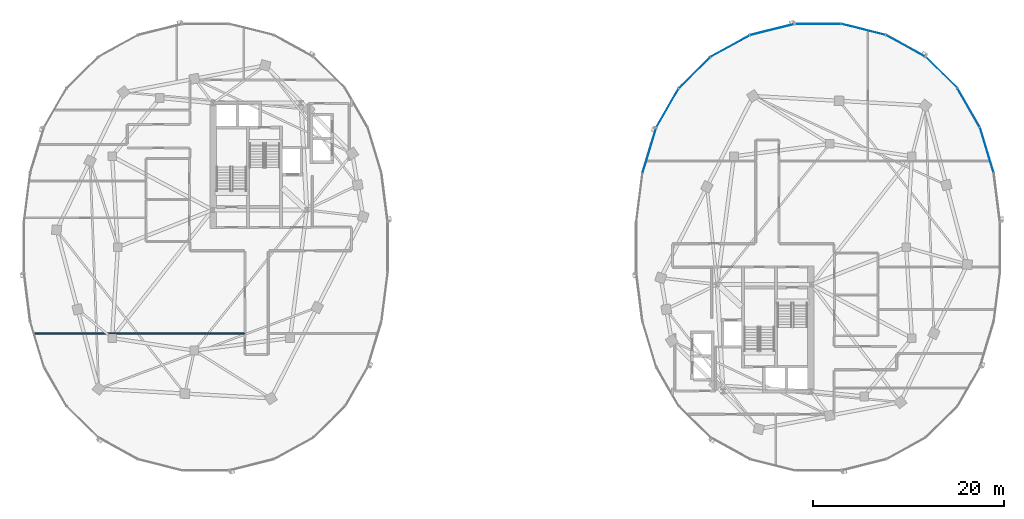
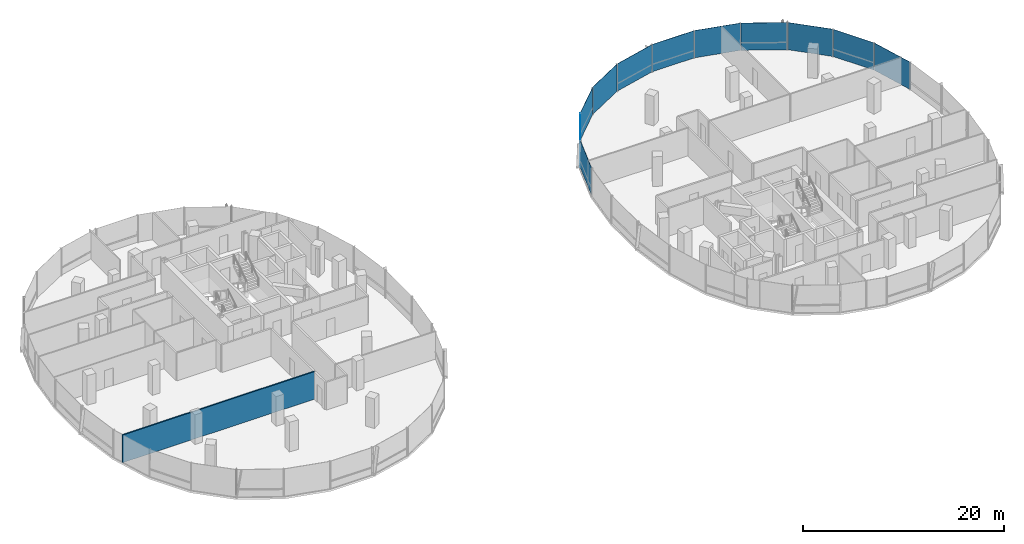
# One storey, part 11 of 22: 11 plates, 1 wall, 2 elements without a shape of their own.
"""IFC4 building model written with IfcOpenShell, lengths in metres."""

from ifc_helpers import new_model, si_unit, direction, frame, frame_2d, origin, origin_2d, place, context, subcontext, project, spatial, rectangle, extrude, material, layer, layer_set, type_object, element, aggregate, save


model = new_model("IFC4")

# Units and contexts
model_context = context("Model", 3, precision=1e-05, world=origin(), true_north=direction((0.0, 1.0)))
body_context = subcontext(model_context, "Body", "Model", "MODEL_VIEW")
ifc_project = project(units=[si_unit("LENGTHUNIT", "METRE"), si_unit("AREAUNIT", "SQUARE_METRE"), si_unit("VOLUMEUNIT", "CUBIC_METRE"), si_unit("PLANEANGLEUNIT", "RADIAN"), si_unit("MASSUNIT", "GRAM", prefix="KILO"), si_unit("THERMODYNAMICTEMPERATUREUNIT", "KELVIN"), si_unit("POWERUNIT", "WATT")], contexts=[model_context])

# Site, building, storey
site_placement = place(None, origin())
site = spatial("IfcSite", under=ifc_project, at=site_placement, CompositionType="ELEMENT")
building_placement = place(site_placement, origin())
building = spatial("IfcBuilding", under=site, at=building_placement, Name="Cundina Bronze Exchange", CompositionType="ELEMENT")
storey_placement = place(building_placement, frame((0.0, 0.0, 147.60009765625)))
storey = spatial("IfcBuildingStorey", under=building, at=storey_placement, Name="L38", CompositionType="ELEMENT", Elevation=147.60009765625)

# Curtain wall, plates
ifc_material_1 = material(Name="Anodised Bronze Aluminium 6063-T6", Category="aluminium")
curtain_wall_type = type_object("IfcCurtainWallType", Name="CWS-WST-PIN", PredefinedType="NOTDEFINED", material=ifc_material_1)
curtain_wall_1_placement = place(storey_placement, origin())
curtain_wall_1 = element("IfcCurtainWall", 1, at=curtain_wall_1_placement, inside=storey, type_object=curtain_wall_type, Name="L38 CW-04 Curtain Wall Run CWR-L38-E1", PredefinedType="NOTDEFINED")
ifc_material_2 = material(Name="Heat-Strengthened Solar-Control Bronze Safety Glass 28mm", Category="glass")
ifc_layer_1 = layer(ifc_material_2, 0.028076171875, Name="Heat-Strengthened Solar-Control Bronze Safety Glass 28mm", Category="glass")
ifc_layer_set_1 = layer_set([ifc_layer_1], Name="Heat-Strengthened Solar-Control Bronze Safety Glass 28mm")
plate_type_1 = type_object("IfcPlateType", Name="PLT-GLZ-VIS28", PredefinedType="CURTAIN_PANEL", material=ifc_layer_set_1)
plate_1_placement = place(storey_placement, frame((47.734375, 14.564697265625, 0.02001953125), z_axis=(0.0, 0.0, 1.0), x_axis=(-0.498487739754, 0.866896748936, 0.0)))
plate_1 = element("IfcPlate", 2, at=plate_1_placement, type_object=plate_type_1, Name="CW-04 Glazed Panel 3", PredefinedType="CURTAIN_PANEL", context=body_context, shape_type="SweptSolid", body=[
    extrude(rectangle(XDim=4.676513671875, YDim=0.028076171875, at=origin_2d()), origin(), (0.0, 0.0, 1.0), 3.320068359375),
])
plate_2_placement = place(storey_placement, frame((44.894775390625, 18.253662109375, 0.02001953125), z_axis=(0.0, 0.0, 1.0), x_axis=(-0.711989280367, 0.702190333629, 0.0)))
plate_2 = element("IfcPlate", 3, at=plate_2_placement, type_object=plate_type_1, Name="CW-04 Glazed Panel 4", PredefinedType="CURTAIN_PANEL", context=body_context, shape_type="SweptSolid", body=[
    extrude(rectangle(XDim=4.6025390625, YDim=0.028076171875, at=origin_2d()), origin(), (0.0, 0.0, 1.0), 3.320068359375),
])
plate_3_placement = place(storey_placement, frame((41.16845703125, 21.02880859375, 0.02001953125), z_axis=(0.0, 0.0, 1.0), x_axis=(-0.875869093438, 0.482548786301, 0.0)))
plate_3 = element("IfcPlate", 4, at=plate_3_placement, type_object=plate_type_1, Name="CW-04 Glazed Panel 5", PredefinedType="CURTAIN_PANEL", context=body_context, shape_type="SweptSolid", body=[
    extrude(rectangle(XDim=4.661865234375, YDim=0.028076171875, at=origin_2d()), origin(), (0.0, 0.0, 1.0), 3.320068359375),
])
plate_4_placement = place(storey_placement, frame((36.76513671875, 22.75244140625, 0.02001953125), z_axis=(0.0, 0.0, 1.0), x_axis=(-0.970092713791, 0.242734683656, 0.0)))
plate_4 = element("IfcPlate", 5, at=plate_4_placement, type_object=plate_type_1, Name="CW-04 Glazed Panel 6", PredefinedType="CURTAIN_PANEL", context=body_context, shape_type="SweptSolid", body=[
    extrude(rectangle(XDim=4.7548828125, YDim=0.028076171875, at=origin_2d()), origin(), (0.0, 0.0, 1.0), 3.320068359375),
])

curtain_wall_2_placement = place(storey_placement, origin())
curtain_wall_2 = element("IfcCurtainWall", 6, at=curtain_wall_2_placement, inside=storey, type_object=curtain_wall_type, Name="L38 CW-04 Curtain Wall Run CWR-L38-E2", PredefinedType="NOTDEFINED")
plate_5_placement = place(storey_placement, frame((22.83154296875, 21.02880859375, 0.02001953125), z_axis=(0.0, 0.0, 1.0), x_axis=(-0.875869093438, -0.482548786301, 0.0)))
plate_5 = element("IfcPlate", 7, at=plate_5_placement, type_object=plate_type_1, Name="CW-04 Glazed Panel 2", PredefinedType="CURTAIN_PANEL", context=body_context, shape_type="SweptSolid", body=[
    extrude(rectangle(XDim=4.661865234375, YDim=0.028076171875, at=origin_2d()), origin(), (0.0, 0.0, 1.0), 3.320068359375),
])
plate_6_placement = place(storey_placement, frame((19.105224609375, 18.253662109375, 0.02001953125), z_axis=(0.0, 0.0, 1.0), x_axis=(-0.711989280367, -0.702190333629, 0.0)))
plate_6 = element("IfcPlate", 8, at=plate_6_placement, type_object=plate_type_1, Name="CW-04 Glazed Panel 3", PredefinedType="CURTAIN_PANEL", context=body_context, shape_type="SweptSolid", body=[
    extrude(rectangle(XDim=4.6025390625, YDim=0.028076171875, at=origin_2d()), origin(), (0.0, 0.0, 1.0), 3.320068359375),
])
plate_7_placement = place(storey_placement, frame((16.265625, 14.564697265625, 0.02001953125), z_axis=(0.0, 0.0, 1.0), x_axis=(-0.498487739754, -0.866896748936, 0.0)))
plate_7 = element("IfcPlate", 9, at=plate_7_placement, type_object=plate_type_1, Name="CW-04 Glazed Panel 4", PredefinedType="CURTAIN_PANEL", context=body_context, shape_type="SweptSolid", body=[
    extrude(rectangle(XDim=4.676513671875, YDim=0.028076171875, at=origin_2d()), origin(), (0.0, 0.0, 1.0), 3.320068359375),
])
plate_8_placement = place(storey_placement, frame((14.36669921875, 10.14208984375, 0.02001953125), z_axis=(0.0, 0.0, 1.0), x_axis=(-0.290050843957, -0.957011237092, 0.0)))
plate_8 = element("IfcPlate", 10, at=plate_8_placement, type_object=plate_type_1, Name="CW-04 Glazed Panel 5", PredefinedType="CURTAIN_PANEL", context=body_context, shape_type="SweptSolid", body=[
    extrude(rectangle(XDim=4.885009765625, YDim=0.028076171875, at=origin_2d()), origin(), (0.0, 0.0, 1.0), 3.320068359375),
])

# Plate
ifc_material_3 = material(Name="Dark Bronze Spandrel Glass Panel 32mm", Category="glass")
ifc_layer_2 = layer(ifc_material_3, 0.031982421875, Name="Dark Bronze Spandrel Glass Panel 32mm", Category="glass")
ifc_layer_set_2 = layer_set([ifc_layer_2], Name="Dark Bronze Spandrel Glass Panel 32mm")
plate_type_2 = type_object("IfcPlateType", Name="PLT-SPN-BRZ32", PredefinedType="CURTAIN_PANEL", material=ifc_layer_set_2)
plate_9_placement = place(storey_placement, frame((49.63330078125, 10.14208984375, 0.02001953125), z_axis=(0.0, 0.0, 1.0), x_axis=(-0.290050843957, 0.957011237092, 0.0)))
plate_9 = element("IfcPlate", 11, at=plate_9_placement, type_object=plate_type_2, Name="CW-04 Glazed Panel 2", PredefinedType="CURTAIN_PANEL", context=body_context, shape_type="SweptSolid", body=[
    extrude(rectangle(XDim=4.885009765625, YDim=0.031982421875, at=origin_2d()), origin(), (0.0, 0.0, 1.0), 3.320068359375),
])

plate_10_placement = place(storey_placement, frame((32.0, 23.3369140625, 0.02001953125), z_axis=(0.0, 0.0, 1.0), x_axis=(-1.0, 0.0, 0.0)))
plate_10 = element("IfcPlate", 12, at=plate_10_placement, type_object=plate_type_2, Name="CW-04 Glazed Panel 7", PredefinedType="CURTAIN_PANEL", context=body_context, shape_type="SweptSolid", body=[
    extrude(rectangle(XDim=4.7958984375, YDim=0.031982421875, at=origin_2d()), origin(), (0.0, 0.0, 1.0), 3.320068359375),
])

aggregate(curtain_wall_1, [plate_9, plate_1, plate_2, plate_3, plate_4, plate_10])

plate_11_placement = place(storey_placement, frame((27.23486328125, 22.75244140625, 0.02001953125), z_axis=(0.0, 0.0, 1.0), x_axis=(-0.970092713791, -0.242734683656, 0.0)))
plate_11 = element("IfcPlate", 13, at=plate_11_placement, type_object=plate_type_2, Name="CW-04 Glazed Panel 1", PredefinedType="CURTAIN_PANEL", context=body_context, shape_type="SweptSolid", body=[
    extrude(rectangle(XDim=4.7548828125, YDim=0.031982421875, at=origin_2d()), origin(), (0.0, 0.0, 1.0), 3.320068359375),
])

aggregate(curtain_wall_2, [plate_11, plate_5, plate_6, plate_7, plate_8])

# Wall
ifc_material_4 = material(Name="Gypsum Acoustic Partition EI60")
ifc_layer_3 = layer(ifc_material_4, 0.14990234375, Name="Gypsum Acoustic Partition EI60")
ifc_layer_set_3 = layer_set([ifc_layer_3], Name="Gypsum Acoustic Partition EI60")
wall_type = type_object("IfcWallType", Name="WL-TEN-150", PredefinedType="PARTITIONING", material=ifc_layer_set_3)
wall_placement = place(storey_placement, frame((-50.04541015625, -9.010009765625, 0.0), z_axis=(0.0, 0.0, 1.0), x_axis=(1.0, 0.0, 0.0)))
element("IfcWall", 14, at=wall_placement, inside=storey, type_object=wall_type, Name="L38 Interior Partition 016", PredefinedType="PARTITIONING", context=body_context, shape_type="SweptSolid", body=[
    extrude(rectangle(XDim=22.095458984375, YDim=0.14990234375, at=frame_2d((11.0478515625, 0.0))), origin(), (0.0, 0.0, 1.0), 3.35986328125),
])

save(model, "model.ifc")
